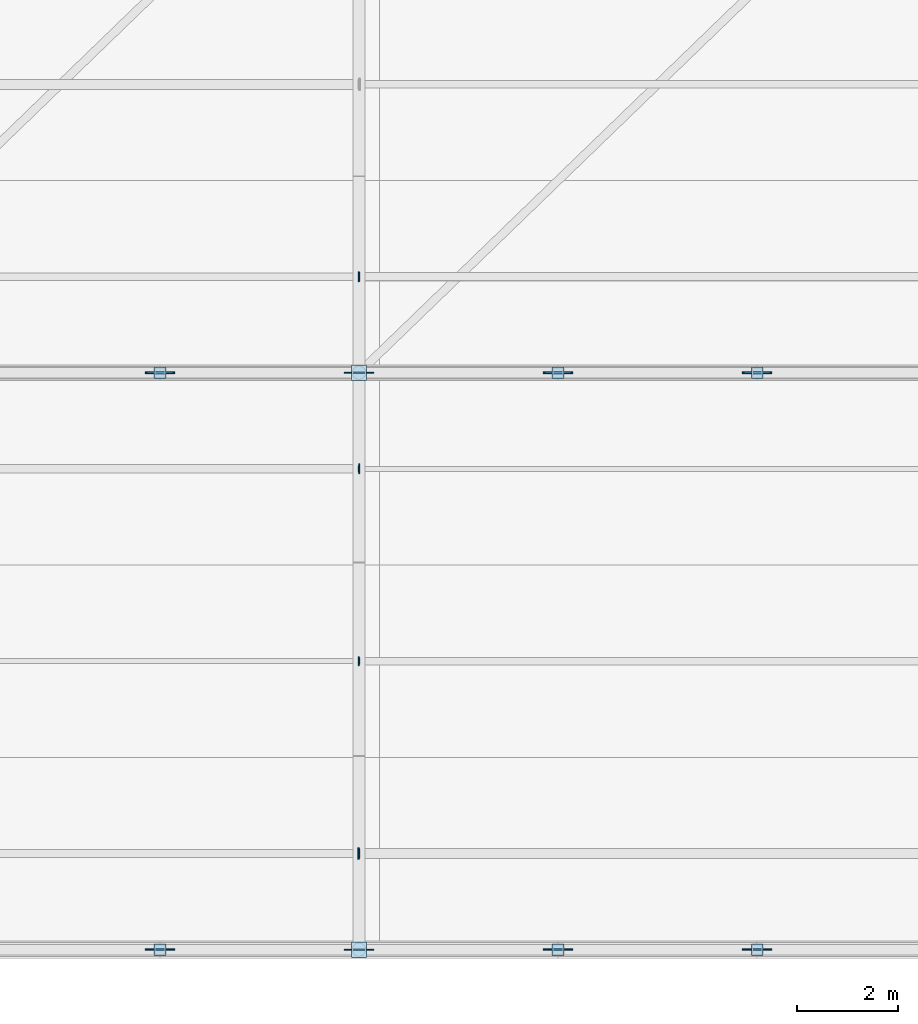
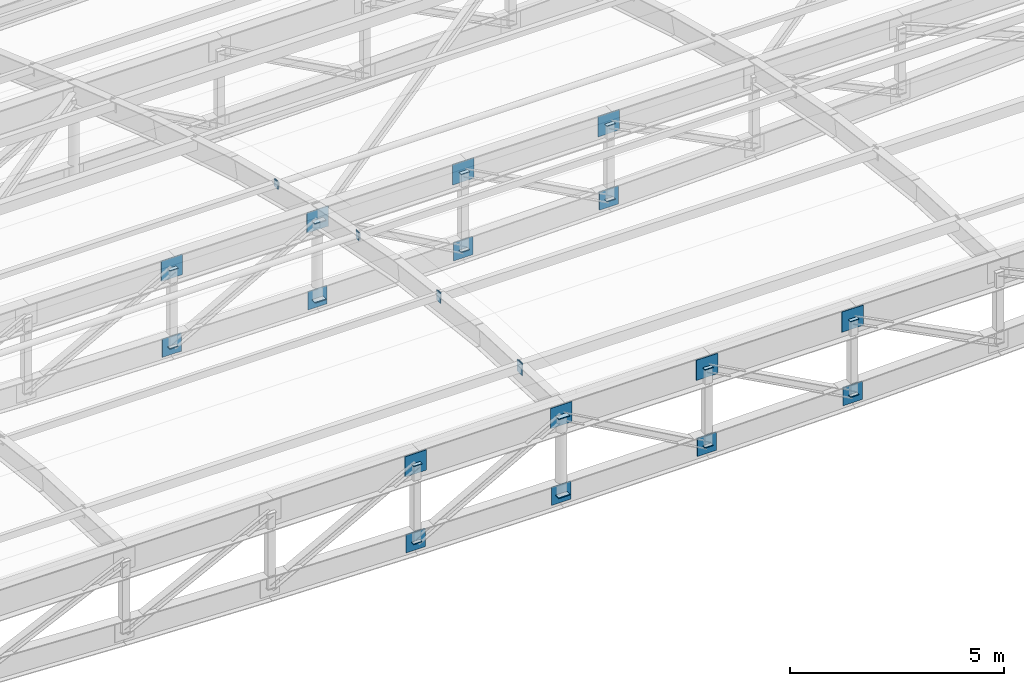
# One storey, part 39 of 65: 40 plates.
"""IFC4 building model written with IfcOpenShell, lengths in metres."""

from ifc_helpers import new_model, si_unit, direction, frame, origin, origin_2d, place, context, subcontext, project, spatial, rectangle, extrude, material, layer, layer_set, type_object, element, save


model = new_model("IFC4")

# Units and contexts
model_context = context("Model", 3, precision=1e-05, world=origin(), true_north=direction((0.0, 1.0)))
body_context = subcontext(model_context, "Body", "Model", "MODEL_VIEW")
ifc_project = project(units=[si_unit("LENGTHUNIT", "METRE"), si_unit("AREAUNIT", "SQUARE_METRE"), si_unit("VOLUMEUNIT", "CUBIC_METRE"), si_unit("PLANEANGLEUNIT", "RADIAN"), si_unit("MASSUNIT", "GRAM", prefix="KILO"), si_unit("POWERUNIT", "WATT"), si_unit("THERMODYNAMICTEMPERATUREUNIT", "KELVIN")], contexts=[model_context])

# Site, building, storey
site_placement = place(None, origin())
site = spatial("IfcSite", under=ifc_project, at=site_placement, CompositionType="ELEMENT")
building_placement = place(site_placement, origin())
building = spatial("IfcBuilding", under=site, at=building_placement, Name="Kelmbourne Parkland Aquatics Centre", CompositionType="ELEMENT")
storey_placement = place(building_placement, frame((0.0, 0.0, 27.0)))
storey = spatial("IfcBuildingStorey", under=building, at=storey_placement, Name="RF", CompositionType="ELEMENT", Elevation=27.0)

# Plates
ifc_material = material(Name="Welded plate steel AS/NZS 3678 Grade 350", Category="steel")
ifc_layer_1 = layer(ifc_material, 0.02001953125)
ifc_layer_set_1 = layer_set([ifc_layer_1], Name="Welded plate steel AS/NZS 3678 Grade 350")
plate_type_1 = type_object("IfcPlateType", Name="PL-CAP-20", PredefinedType="USERDEFINED", material=ifc_layer_set_1)
for number, where, z_axis, x_axis, name in (
    (1, (147.666748046875, 0.800048828125, -3.04541015625), (0.0, 0.0, 1.0), (1.0, 0.0, 0.0), "Hollow end cap plate CAP-0025"),
    (2, (147.666748046875, 0.800048828125, -0.821044921875), (0.0, 0.0, 1.0), (1.0, 0.0, 0.0), "Hollow end cap plate CAP-0026"),
    (3, (155.533203125, 0.800048828125, -3.04541015625), (0.0, 0.0, 1.0), (1.0, 0.0, 0.0), "Hollow end cap plate CAP-0029"),
    (4, (155.533203125, 0.800048828125, -0.821044921875), (0.0, 0.0, 1.0), (1.0, 0.0, 0.0), "Hollow end cap plate CAP-0030"),
    (5, (159.466796875, 0.800048828125, -2.974609375), (0.0, 0.0, 1.0), (1.0, 0.0, 0.0), "Hollow end cap plate CAP-0031"),
    (6, (159.466796875, 0.800048828125, -0.821044921875), (0.0, 0.0, 1.0), (1.0, 0.0, 0.0), "Hollow end cap plate CAP-0032"),
    (7, (147.666748046875, 12.199951171875, -4.376220703125), (0.0, 0.0, 1.0), (1.0, 0.0, 0.0), "Hollow end cap plate CAP-0051"),
    (8, (147.666748046875, 12.199951171875, -2.15185546875), (0.0, 0.0, 1.0), (1.0, 0.0, 0.0), "Hollow end cap plate CAP-0052"),
    (9, (155.533203125, 12.199951171875, -4.376220703125), (0.0, 0.0, 1.0), (1.0, 0.0, 0.0), "Hollow end cap plate CAP-0055"),
    (10, (155.533203125, 12.199951171875, -2.15185546875), (0.0, 0.0, 1.0), (1.0, 0.0, 0.0), "Hollow end cap plate CAP-0056"),
    (11, (159.466796875, 12.199951171875, -4.305419921875), (0.0, 0.0, 1.0), (1.0, 0.0, 0.0), "Hollow end cap plate CAP-0057"),
    (12, (159.466796875, 12.199951171875, -2.15185546875), (0.0, 0.0, 1.0), (1.0, 0.0, 0.0), "Hollow end cap plate CAP-0058"),
):
    element("IfcPlate", number, at=place(storey_placement, frame(where, z_axis=z_axis, x_axis=x_axis)), inside=storey, type_object=plate_type_1, Name=name, ObjectType="END CAP PLATE", PredefinedType="USERDEFINED", context=body_context, shape_type="SweptSolid", body=[
        extrude(rectangle(XDim=0.22998046875, YDim=0.22998046875, at=origin_2d()), origin(), (0.0, 0.0, 1.0), 0.02001953125),
    ])
plate_1_placement = place(storey_placement, frame((151.60888671875, 2.699951171875, -0.7314453125), z_axis=(0.0, 0.0, 1.0), x_axis=(1.0, 0.0, 0.0)))
element("IfcPlate", 13, at=plate_1_placement, inside=storey, type_object=plate_type_1, Name="Hollow end cap plate CAP-0304", ObjectType="END CAP PLATE", PredefinedType="USERDEFINED", context=body_context, shape_type="SweptSolid", body=[
    extrude(rectangle(XDim=0.02001953125, YDim=0.179931640625, at=origin_2d()), origin(), (0.0, 0.0, 1.0), 0.280029296875),
])
plate_2_placement = place(storey_placement, frame((151.60888671875, 6.5, -0.9833984375), z_axis=(0.0, 0.0, 1.0), x_axis=(1.0, 0.0, 0.0)))
element("IfcPlate", 14, at=plate_2_placement, inside=storey, type_object=plate_type_1, Name="Hollow end cap plate CAP-0312", ObjectType="END CAP PLATE", PredefinedType="USERDEFINED", context=body_context, shape_type="SweptSolid", body=[
    extrude(rectangle(XDim=0.02001953125, YDim=0.1298828125, at=origin_2d()), origin(), (0.0, 0.0, 1.0), 0.22998046875),
])
plate_3_placement = place(storey_placement, frame((151.591064453125, 6.5, -1.03369140625), z_axis=(0.0, 0.0, 1.0), x_axis=(-1.0, 0.0, 0.0)))
element("IfcPlate", 15, at=plate_3_placement, inside=storey, type_object=plate_type_1, Name="Hollow end cap plate CAP-0313", ObjectType="END CAP PLATE", PredefinedType="USERDEFINED", context=body_context, shape_type="SweptSolid", body=[
    extrude(rectangle(XDim=0.02001953125, YDim=0.179931640625, at=origin_2d()), origin(), (0.0, 0.0, 1.0), 0.280029296875),
])
plate_4_placement = place(storey_placement, frame((151.60888671875, 10.300048828125, -1.540771484375), z_axis=(0.0, 0.0, 1.0), x_axis=(1.0, 0.0, 0.0)))
element("IfcPlate", 16, at=plate_4_placement, inside=storey, type_object=plate_type_1, Name="Hollow end cap plate CAP-0320", ObjectType="END CAP PLATE", PredefinedType="USERDEFINED", context=body_context, shape_type="SweptSolid", body=[
    extrude(rectangle(XDim=0.02001953125, YDim=0.1982421875, at=origin_2d()), origin(), (0.0, 0.0, 1.0), 0.1982421875),
])
plate_5_placement = place(storey_placement, frame((151.591064453125, 10.300048828125, -1.572509765625), z_axis=(0.0, 0.0, 1.0), x_axis=(-1.0, 0.0, 0.0)))
element("IfcPlate", 17, at=plate_5_placement, inside=storey, type_object=plate_type_1, Name="Hollow end cap plate CAP-0321", ObjectType="END CAP PLATE", PredefinedType="USERDEFINED", context=body_context, shape_type="SweptSolid", body=[
    extrude(rectangle(XDim=0.02001953125, YDim=0.1298828125, at=origin_2d()), origin(), (0.0, 0.0, 1.0), 0.22998046875),
])
plate_6_placement = place(storey_placement, frame((151.60888671875, 14.10009765625, -2.36865234375), z_axis=(0.0, 0.0, 1.0), x_axis=(1.0, 0.0, 0.0)))
element("IfcPlate", 18, at=plate_6_placement, inside=storey, type_object=plate_type_1, Name="Hollow end cap plate CAP-0328", ObjectType="END CAP PLATE", PredefinedType="USERDEFINED", context=body_context, shape_type="SweptSolid", body=[
    extrude(rectangle(XDim=0.02001953125, YDim=0.179931640625, at=origin_2d()), origin(), (0.0, 0.0, 1.0), 0.179931640625),
])
plate_7_placement = place(storey_placement, frame((151.591064453125, 14.10009765625, -2.386962890625), z_axis=(0.0, 0.0, 1.0), x_axis=(-1.0, 0.0, 0.0)))
element("IfcPlate", 19, at=plate_7_placement, inside=storey, type_object=plate_type_1, Name="Hollow end cap plate CAP-0329", ObjectType="END CAP PLATE", PredefinedType="USERDEFINED", context=body_context, shape_type="SweptSolid", body=[
    extrude(rectangle(XDim=0.02001953125, YDim=0.1982421875, at=origin_2d()), origin(), (0.0, 0.0, 1.0), 0.1982421875),
])
ifc_layer_2 = layer(ifc_material, 0.02392578125)
ifc_layer_set_2 = layer_set([ifc_layer_2], Name="Welded plate steel AS/NZS 3678 Grade 350")
plate_type_2 = type_object("IfcPlateType", Name="PL-CAP-24", PredefinedType="USERDEFINED", material=ifc_layer_set_2)
for number, where, z_axis, x_axis, name in (
    (20, (151.60009765625, 0.800048828125, -3.072998046875), (0.0, 0.0, 1.0), (1.0, 0.0, 0.0), "Hollow end cap plate CAP-0027"),
    (21, (151.60009765625, 0.800048828125, -0.821044921875), (0.0, 0.0, 1.0), (1.0, 0.0, 0.0), "Hollow end cap plate CAP-0028"),
    (22, (151.60009765625, 12.199951171875, -4.40380859375), (0.0, 0.0, 1.0), (1.0, 0.0, 0.0), "Hollow end cap plate CAP-0053"),
    (23, (151.60009765625, 12.199951171875, -2.15185546875), (0.0, 0.0, 1.0), (1.0, 0.0, 0.0), "Hollow end cap plate CAP-0054"),
):
    element("IfcPlate", number, at=place(storey_placement, frame(where, z_axis=z_axis, x_axis=x_axis)), inside=storey, type_object=plate_type_2, Name=name, ObjectType="END CAP PLATE", PredefinedType="USERDEFINED", context=body_context, shape_type="SweptSolid", body=[
        extrude(rectangle(XDim=0.302978515625, YDim=0.302978515625, at=origin_2d()), origin(), (0.0, 0.0, 1.0), 0.02392578125),
    ])
plate_8_placement = place(storey_placement, frame((151.589111328125, 2.699951171875, -0.781494140625), z_axis=(0.0, 0.0, 1.0), x_axis=(-1.0, 0.0, 0.0)))
element("IfcPlate", 24, at=plate_8_placement, inside=storey, type_object=plate_type_2, Name="Hollow end cap plate CAP-0305", ObjectType="END CAP PLATE", PredefinedType="USERDEFINED", context=body_context, shape_type="SweptSolid", body=[
    extrude(rectangle(XDim=0.02392578125, YDim=0.22998046875, at=origin_2d()), origin(), (0.0, 0.0, 1.0), 0.330078125),
])
ifc_layer_3 = layer(ifc_material, 0.02490234375)
ifc_layer_set_3 = layer_set([ifc_layer_3], Name="Welded plate steel AS/NZS 3678 Grade 350")
plate_type_3 = type_object("IfcPlateType", Name="PL-GUS-2", PredefinedType="USERDEFINED", material=ifc_layer_set_3)
plate_9_placement = place(storey_placement, frame((151.60009765625, 0.800048828125, -1.110107421875), z_axis=(0.0, 0.0, 1.0), x_axis=(1.0, 0.0, 0.0)))
element("IfcPlate", 25, at=plate_9_placement, inside=storey, type_object=plate_type_3, Name="Truss top node TN-2 gusset plate R00-N6", ObjectType="GUSSET PLATE", PredefinedType="USERDEFINED", context=body_context, shape_type="SweptSolid", body=[
    extrude(rectangle(XDim=0.580078125, YDim=0.02490234375, at=origin_2d()), origin(), (0.0, 0.0, 1.0), 0.580078125),
])
plate_10_placement = place(storey_placement, frame((151.60009765625, 0.800048828125, -3.31005859375), z_axis=(0.0, 0.0, 1.0), x_axis=(1.0, 0.0, 0.0)))
element("IfcPlate", 26, at=plate_10_placement, inside=storey, type_object=plate_type_3, Name="Truss bottom node TN-2 gusset plate R00-B6", ObjectType="GUSSET PLATE", PredefinedType="USERDEFINED", context=body_context, shape_type="SweptSolid", body=[
    extrude(rectangle(XDim=0.52001953125, YDim=0.02490234375, at=origin_2d()), origin(), (0.0, 0.0, 1.0), 0.52001953125),
])
plate_11_placement = place(storey_placement, frame((151.60009765625, 12.199951171875, -2.44091796875), z_axis=(0.0, 0.0, 1.0), x_axis=(1.0, 0.0, 0.0)))
element("IfcPlate", 27, at=plate_11_placement, inside=storey, type_object=plate_type_3, Name="Truss top node TN-2 gusset plate R01-N6", ObjectType="GUSSET PLATE", PredefinedType="USERDEFINED", context=body_context, shape_type="SweptSolid", body=[
    extrude(rectangle(XDim=0.580078125, YDim=0.02490234375, at=origin_2d()), origin(), (0.0, 0.0, 1.0), 0.580078125),
])
plate_12_placement = place(storey_placement, frame((151.60009765625, 12.199951171875, -4.640869140625), z_axis=(0.0, 0.0, 1.0), x_axis=(1.0, 0.0, 0.0)))
element("IfcPlate", 28, at=plate_12_placement, inside=storey, type_object=plate_type_3, Name="Truss bottom node TN-2 gusset plate R01-B6", ObjectType="GUSSET PLATE", PredefinedType="USERDEFINED", context=body_context, shape_type="SweptSolid", body=[
    extrude(rectangle(XDim=0.52001953125, YDim=0.02490234375, at=origin_2d()), origin(), (0.0, 0.0, 1.0), 0.52001953125),
])
ifc_layer_4 = layer(ifc_material, 0.031982421875)
ifc_layer_set_4 = layer_set([ifc_layer_4], Name="Welded plate steel AS/NZS 3678 Grade 350")
plate_type_4 = type_object("IfcPlateType", Name="PL-GUS-3", PredefinedType="USERDEFINED", material=ifc_layer_set_4)
plate_13_placement = place(storey_placement, frame((147.666748046875, 0.800048828125, -1.110107421875), z_axis=(0.0, 0.0, 1.0), x_axis=(1.0, 0.0, 0.0)))
element("IfcPlate", 29, at=plate_13_placement, inside=storey, type_object=plate_type_4, Name="Truss top node TN-3 gusset plate R00-N5", ObjectType="GUSSET PLATE", PredefinedType="USERDEFINED", context=body_context, shape_type="SweptSolid", body=[
    extrude(rectangle(XDim=0.580078125, YDim=0.031982421875, at=origin_2d()), origin(), (0.0, 0.0, 1.0), 0.580078125),
])
plate_14_placement = place(storey_placement, frame((147.666748046875, 0.800048828125, -3.286376953125), z_axis=(0.0, 0.0, 1.0), x_axis=(1.0, 0.0, 0.0)))
element("IfcPlate", 30, at=plate_14_placement, inside=storey, type_object=plate_type_4, Name="Truss bottom node TN-3 gusset plate R00-B5", ObjectType="GUSSET PLATE", PredefinedType="USERDEFINED", context=body_context, shape_type="SweptSolid", body=[
    extrude(rectangle(XDim=0.52001953125, YDim=0.031982421875, at=origin_2d()), origin(), (0.0, 0.0, 1.0), 0.52001953125),
])
plate_15_placement = place(storey_placement, frame((155.533203125, 0.800048828125, -1.110107421875), z_axis=(0.0, 0.0, 1.0), x_axis=(1.0, 0.0, 0.0)))
element("IfcPlate", 31, at=plate_15_placement, inside=storey, type_object=plate_type_4, Name="Truss top node TN-3 gusset plate R00-N7", ObjectType="GUSSET PLATE", PredefinedType="USERDEFINED", context=body_context, shape_type="SweptSolid", body=[
    extrude(rectangle(XDim=0.580078125, YDim=0.031982421875, at=origin_2d()), origin(), (0.0, 0.0, 1.0), 0.580078125),
])
plate_16_placement = place(storey_placement, frame((155.533203125, 0.800048828125, -3.286376953125), z_axis=(0.0, 0.0, 1.0), x_axis=(1.0, 0.0, 0.0)))
element("IfcPlate", 32, at=plate_16_placement, inside=storey, type_object=plate_type_4, Name="Truss bottom node TN-3 gusset plate R00-B7", ObjectType="GUSSET PLATE", PredefinedType="USERDEFINED", context=body_context, shape_type="SweptSolid", body=[
    extrude(rectangle(XDim=0.52001953125, YDim=0.031982421875, at=origin_2d()), origin(), (0.0, 0.0, 1.0), 0.52001953125),
])
plate_17_placement = place(storey_placement, frame((159.466796875, 0.800048828125, -1.110107421875), z_axis=(0.0, 0.0, 1.0), x_axis=(1.0, 0.0, 0.0)))
element("IfcPlate", 33, at=plate_17_placement, inside=storey, type_object=plate_type_4, Name="Truss top node TN-3 gusset plate R00-N8", ObjectType="GUSSET PLATE", PredefinedType="USERDEFINED", context=body_context, shape_type="SweptSolid", body=[
    extrude(rectangle(XDim=0.580078125, YDim=0.031982421875, at=origin_2d()), origin(), (0.0, 0.0, 1.0), 0.580078125),
])
plate_18_placement = place(storey_placement, frame((159.466796875, 0.800048828125, -3.215576171875), z_axis=(0.0, 0.0, 1.0), x_axis=(1.0, 0.0, 0.0)))
element("IfcPlate", 34, at=plate_18_placement, inside=storey, type_object=plate_type_4, Name="Truss bottom node TN-3 gusset plate R00-B8", ObjectType="GUSSET PLATE", PredefinedType="USERDEFINED", context=body_context, shape_type="SweptSolid", body=[
    extrude(rectangle(XDim=0.52001953125, YDim=0.031982421875, at=origin_2d()), origin(), (0.0, 0.0, 1.0), 0.52001953125),
])
plate_19_placement = place(storey_placement, frame((147.666748046875, 12.199951171875, -2.44091796875), z_axis=(0.0, 0.0, 1.0), x_axis=(1.0, 0.0, 0.0)))
element("IfcPlate", 35, at=plate_19_placement, inside=storey, type_object=plate_type_4, Name="Truss top node TN-3 gusset plate R01-N5", ObjectType="GUSSET PLATE", PredefinedType="USERDEFINED", context=body_context, shape_type="SweptSolid", body=[
    extrude(rectangle(XDim=0.580078125, YDim=0.031982421875, at=origin_2d()), origin(), (0.0, 0.0, 1.0), 0.580078125),
])
plate_20_placement = place(storey_placement, frame((147.666748046875, 12.199951171875, -4.6171875), z_axis=(0.0, 0.0, 1.0), x_axis=(1.0, 0.0, 0.0)))
element("IfcPlate", 36, at=plate_20_placement, inside=storey, type_object=plate_type_4, Name="Truss bottom node TN-3 gusset plate R01-B5", ObjectType="GUSSET PLATE", PredefinedType="USERDEFINED", context=body_context, shape_type="SweptSolid", body=[
    extrude(rectangle(XDim=0.52001953125, YDim=0.031982421875, at=origin_2d()), origin(), (0.0, 0.0, 1.0), 0.52001953125),
])
plate_21_placement = place(storey_placement, frame((155.533203125, 12.199951171875, -2.44091796875), z_axis=(0.0, 0.0, 1.0), x_axis=(1.0, 0.0, 0.0)))
element("IfcPlate", 37, at=plate_21_placement, inside=storey, type_object=plate_type_4, Name="Truss top node TN-3 gusset plate R01-N7", ObjectType="GUSSET PLATE", PredefinedType="USERDEFINED", context=body_context, shape_type="SweptSolid", body=[
    extrude(rectangle(XDim=0.580078125, YDim=0.031982421875, at=origin_2d()), origin(), (0.0, 0.0, 1.0), 0.580078125),
])
plate_22_placement = place(storey_placement, frame((155.533203125, 12.199951171875, -4.6171875), z_axis=(0.0, 0.0, 1.0), x_axis=(1.0, 0.0, 0.0)))
element("IfcPlate", 38, at=plate_22_placement, inside=storey, type_object=plate_type_4, Name="Truss bottom node TN-3 gusset plate R01-B7", ObjectType="GUSSET PLATE", PredefinedType="USERDEFINED", context=body_context, shape_type="SweptSolid", body=[
    extrude(rectangle(XDim=0.52001953125, YDim=0.031982421875, at=origin_2d()), origin(), (0.0, 0.0, 1.0), 0.52001953125),
])
plate_23_placement = place(storey_placement, frame((159.466796875, 12.199951171875, -2.44091796875), z_axis=(0.0, 0.0, 1.0), x_axis=(1.0, 0.0, 0.0)))
element("IfcPlate", 39, at=plate_23_placement, inside=storey, type_object=plate_type_4, Name="Truss top node TN-3 gusset plate R01-N8", ObjectType="GUSSET PLATE", PredefinedType="USERDEFINED", context=body_context, shape_type="SweptSolid", body=[
    extrude(rectangle(XDim=0.580078125, YDim=0.031982421875, at=origin_2d()), origin(), (0.0, 0.0, 1.0), 0.580078125),
])
plate_24_placement = place(storey_placement, frame((159.466796875, 12.199951171875, -4.54638671875), z_axis=(0.0, 0.0, 1.0), x_axis=(1.0, 0.0, 0.0)))
element("IfcPlate", 40, at=plate_24_placement, inside=storey, type_object=plate_type_4, Name="Truss bottom node TN-3 gusset plate R01-B8", ObjectType="GUSSET PLATE", PredefinedType="USERDEFINED", context=body_context, shape_type="SweptSolid", body=[
    extrude(rectangle(XDim=0.52001953125, YDim=0.031982421875, at=origin_2d()), origin(), (0.0, 0.0, 1.0), 0.52001953125),
])

save(model, "model.ifc")
